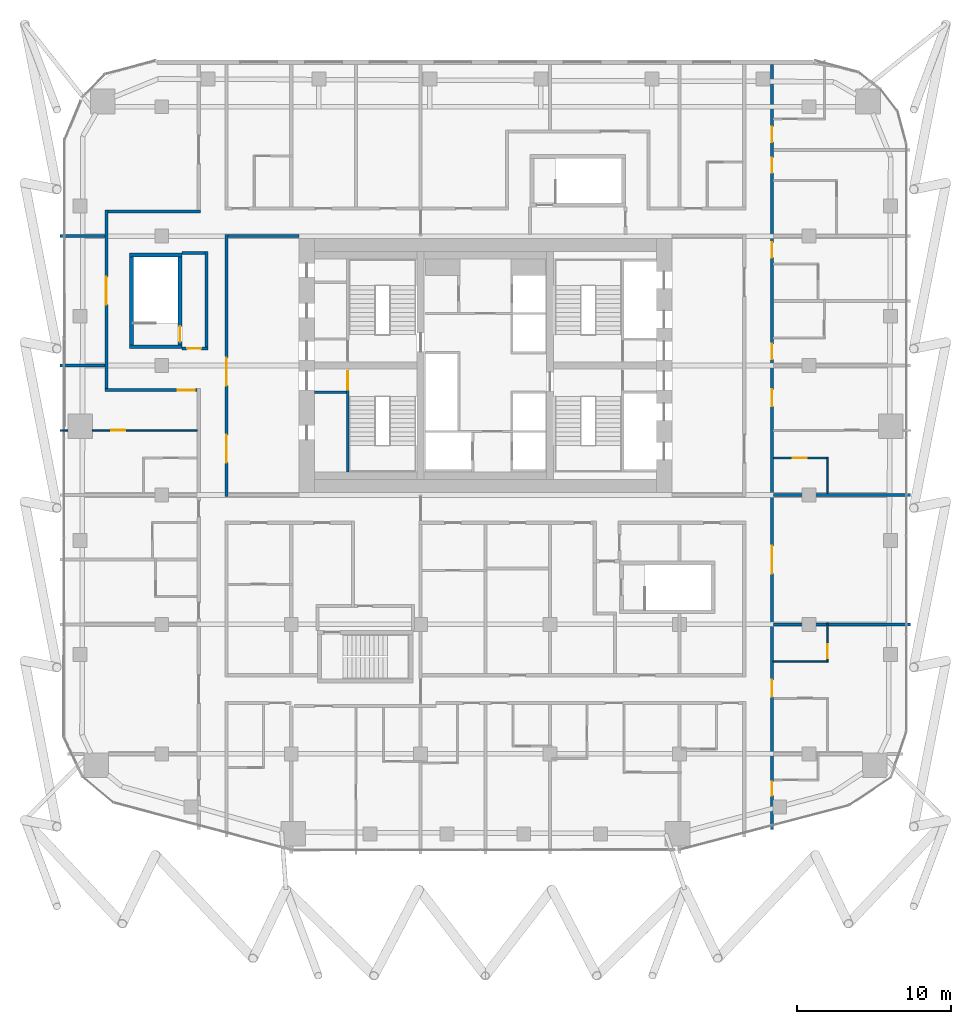
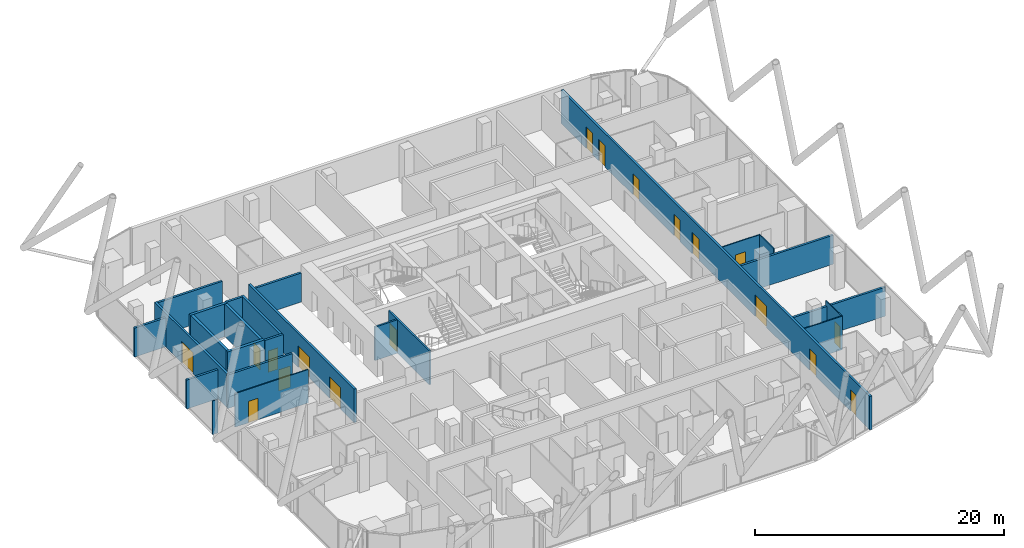
# One storey, part 29 of 34: 25 walls, 18 doors, 18 openings.
"""IFC4 building model written with IfcOpenShell, lengths in metres."""

from ifc_helpers import new_model, si_unit, direction, frame, frame_2d, origin, place, context, subcontext, project, spatial, rectangle, extrude, material, layer, layer_set, type_object, element, fill, save


model = new_model("IFC4")

# Units and contexts
model_context = context("Model", 3, precision=1e-05, world=origin(), true_north=direction((0.0, 1.0)))
body_context = subcontext(model_context, "Body", "Model", "MODEL_VIEW")
ifc_project = project(units=[si_unit("LENGTHUNIT", "METRE"), si_unit("AREAUNIT", "SQUARE_METRE"), si_unit("VOLUMEUNIT", "CUBIC_METRE"), si_unit("PLANEANGLEUNIT", "RADIAN"), si_unit("MASSUNIT", "GRAM", prefix="KILO")], contexts=[model_context])

# Site, building, storey
site_placement = place(None, origin())
site = spatial("IfcSite", under=ifc_project, at=site_placement, CompositionType="ELEMENT")
building_placement = place(site_placement, origin())
building = spatial("IfcBuilding", under=site, at=building_placement, Name="Marenta Gate Hotel Tower", CompositionType="ELEMENT")
storey_placement = place(building_placement, frame((0.0, 0.0, 166.10009765625)))
storey = spatial("IfcBuildingStorey", under=building, at=storey_placement, Name="L39", CompositionType="ELEMENT", Elevation=166.10009765625)

# Wall, openings, doors
ifc_material_1 = material(Name="Concrete blockwork", Category="masonry")
ifc_layer_1 = layer(ifc_material_1, 0.199951171875)
ifc_layer_set_1 = layer_set([ifc_layer_1], Name="Concrete blockwork")
wall_type_1 = type_object("IfcWallType", Name="Core boundary wall 200 REI 180", PredefinedType="PARTITIONING", material=ifc_layer_set_1)
wall_1_placement = place(storey_placement, frame((-16.800048828125, -0.10009765625, 0.0), z_axis=(0.0, 0.0, 1.0), x_axis=(0.0, 1.0, 0.0)))
wall_1 = element("IfcWall", 1, at=wall_1_placement, inside=storey, type_object=wall_type_1, Name="L39-CP-BW-W", PredefinedType="PARTITIONING", context=body_context, shape_type="SweptSolid", body=[
    extrude(rectangle(XDim=17.0, YDim=0.199951171875, at=frame_2d((8.5, 0.0))), origin(), (0.0, 0.0, 1.0), 3.2998046875),
])
opening_1_placement = place(wall_1_placement, frame((2.199951171875, 0.0, 0.0)))
opening_1 = element("IfcOpeningElement", 2, at=opening_1_placement, cuts=wall_1, Name="Opening ED-Wa-B", PredefinedType="OPENING", context=body_context, shape_type="SweptSolid", body=[
    extrude(rectangle(XDim=1.800048828125, YDim=2.10009765625, at=frame_2d((0.89990234375, 1.050048828125))), frame((0.0, 0.10009765625, 0.0), z_axis=(0.0, -1.0, 0.0), x_axis=(1.0, 0.0, 0.0)), (0.0, 0.0, 1.0), 0.199951171875),
])
opening_2_placement = place(wall_1_placement, frame((7.199951171875, 0.0, 0.0)))
opening_2 = element("IfcOpeningElement", 3, at=opening_2_placement, cuts=wall_1, Name="Opening ED-Wb-B", PredefinedType="OPENING", context=body_context, shape_type="SweptSolid", body=[
    extrude(rectangle(XDim=1.800048828125, YDim=2.10009765625, at=frame_2d((0.89990234375, 1.050048828125))), frame((0.0, 0.10009765625, 0.0), z_axis=(0.0, -1.0, 0.0), x_axis=(1.0, 0.0, 0.0)), (0.0, 0.0, 1.0), 0.199951171875),
])
ifc_material_2 = material(Name="Steel", Category="steel")
door_type_1 = type_object("IfcDoorType", Name="Core lobby entrance door 1800x2100 EI 60", OperationType="DOUBLE_DOOR_SINGLE_SWING", PredefinedType="DOOR", material=ifc_material_2)
door_1_placement = place(opening_1_placement, origin())
door_1 = element("IfcDoor", 4, at=door_1_placement, inside=storey, type_object=door_type_1, Name="ED-Wa-B", OperationType="DOUBLE_DOOR_SINGLE_SWING", OverallHeight=2.10009765625, OverallWidth=1.800048828125, PredefinedType="DOOR", context=body_context, shape_type="SweptSolid", body=[
    extrude(rectangle(XDim=1.800048828125, YDim=2.10009765625, at=frame_2d((0.89990234375, 1.050048828125))), frame((0.0, 0.02490234375, 0.0), z_axis=(0.0, -1.0, 0.0), x_axis=(1.0, 0.0, 0.0)), (0.0, 0.0, 1.0), 0.050048828125),
])
fill(opening_1, door_1)
door_2_placement = place(opening_2_placement, origin())
door_2 = element("IfcDoor", 5, at=door_2_placement, inside=storey, type_object=door_type_1, Name="ED-Wb-B", OperationType="DOUBLE_DOOR_SINGLE_SWING", OverallHeight=2.10009765625, OverallWidth=1.800048828125, PredefinedType="DOOR", context=body_context, shape_type="SweptSolid", body=[
    extrude(rectangle(XDim=1.800048828125, YDim=2.10009765625, at=frame_2d((0.89990234375, 1.050048828125))), frame((0.0, 0.02490234375, 0.0), z_axis=(0.0, -1.0, 0.0), x_axis=(1.0, 0.0, 0.0)), (0.0, 0.0, 1.0), 0.050048828125),
])
fill(opening_2, door_2)

# Walls
wall_2_placement = place(storey_placement, frame((-16.699951171875, 16.800048828125, 0.0), z_axis=(0.0, 0.0, 1.0), x_axis=(1.0, 0.0, 0.0)))
element("IfcWall", 6, at=wall_2_placement, inside=storey, type_object=wall_type_1, Name="L39-CP-EW-WN", PredefinedType="PARTITIONING", context=body_context, shape_type="SweptSolid", body=[
    extrude(rectangle(XDim=4.599853515625, YDim=0.199951171875, at=frame_2d((2.2998046875, 0.0))), origin(), (0.0, 0.0, 1.0), 2.849853515625),
])
ifc_material_3 = material(Name="Concrete blockwork", Category="masonry")
ifc_layer_2 = layer(ifc_material_3, 0.14990234375)
ifc_layer_set_2 = layer_set([ifc_layer_2], Name="Concrete blockwork")
wall_type_2 = type_object("IfcWallType", Name="Core room partition 150 REI 180", PredefinedType="PARTITIONING", material=ifc_layer_set_2)
wall_3_placement = place(storey_placement, frame((-11.10009765625, 6.675048828125, 0.0), z_axis=(0.0, 0.0, 1.0), x_axis=(1.0, 0.0, 0.0)))
element("IfcWall", 7, at=wall_3_placement, inside=storey, type_object=wall_type_2, Name="L39-CP-SW-WS-2", PredefinedType="PARTITIONING", context=body_context, shape_type="SweptSolid", body=[
    extrude(rectangle(XDim=2.10009765625, YDim=0.14990234375, at=frame_2d((1.050048828125, 0.0))), origin(), (0.0, 0.0, 1.0), 3.2998046875),
])

# Wall, opening, door
ifc_material_4 = material(Name="Concrete C40", Category="concrete")
ifc_layer_3 = layer(ifc_material_4, 0.14990234375)
ifc_layer_set_3 = layer_set([ifc_layer_3], Name="Concrete C40")
wall_type_3 = type_object("IfcWallType", Name="Core stair enclosure wall 150 REI 180", PredefinedType="SHEAR", material=ifc_layer_set_3)
wall_4_placement = place(storey_placement, frame((-8.925048828125, 1.5, 0.0), z_axis=(0.0, 0.0, 1.0), x_axis=(0.0, 1.0, 0.0)))
wall_4 = element("IfcWall", 8, at=wall_4_placement, inside=storey, type_object=wall_type_3, Name="L39-SHF-SW-WS-3", PredefinedType="SHEAR", context=body_context, shape_type="SweptSolid", body=[
    extrude(rectangle(XDim=6.60009765625, YDim=0.14990234375, at=frame_2d((3.300048828125, 0.0))), origin(), (0.0, 0.0, 1.0), 3.2998046875),
])
opening_3_placement = place(wall_4_placement, frame((5.324951171875, 0.0, 0.0)))
opening_3 = element("IfcOpeningElement", 9, at=opening_3_placement, cuts=wall_4, Name="Opening SD-WS", PredefinedType="OPENING", context=body_context, shape_type="SweptSolid", body=[
    extrude(rectangle(XDim=1.199951171875, YDim=2.10009765625, at=frame_2d((0.60009765625, 1.050048828125))), frame((0.0, 0.074951171875, 0.0), z_axis=(0.0, -1.0, 0.0), x_axis=(1.0, 0.0, 0.0)), (0.0, 0.0, 1.0), 0.14990234375),
])
ifc_material_5 = material(Name="Steel", Category="steel")
door_type_2 = type_object("IfcDoorType", Name="Core stair door 1200x2100 FD60", OperationType="SINGLE_SWING_LEFT", PredefinedType="DOOR", material=ifc_material_5)
door_3_placement = place(opening_3_placement, origin())
door_3 = element("IfcDoor", 10, at=door_3_placement, inside=storey, type_object=door_type_2, Name="SD-WS", OperationType="SINGLE_SWING_LEFT", OverallHeight=2.10009765625, OverallWidth=1.199951171875, PredefinedType="DOOR", context=body_context, shape_type="SweptSolid", body=[
    extrude(rectangle(XDim=1.199951171875, YDim=2.10009765625, at=frame_2d((0.60009765625, 1.050048828125))), frame((0.0, 0.02490234375, 0.0), z_axis=(0.0, -1.0, 0.0), x_axis=(1.0, 0.0, 0.0)), (0.0, 0.0, 1.0), 0.050048828125),
])
fill(opening_3, door_3)

# Walls
ifc_material_6 = material(Name="Concrete C40", Category="concrete")
ifc_layer_4 = layer(ifc_material_6, 0.25)
ifc_layer_set_4 = layer_set([ifc_layer_4], Name="Concrete C40")
wall_type_4 = type_object("IfcWallType", Name="Remote stair enclosure wall 250 REI 180", PredefinedType="SHEAR", material=ifc_layer_set_4)
for number, where, z_axis, x_axis, name in (
    (11, (-23.10009765625, 9.625, 0.099853515625), (0.0, 0.0, 1.0), (1.0, 0.0, 0.0), "L39-RS-Z1-3-W1"),
    (12, (-23.10009765625, 15.574951171875, 0.099853515625), (0.0, 0.0, 1.0), (1.0, 0.0, 0.0), "L39-RS-Z1-3-W2"),
):
    element("IfcWall", number, at=place(storey_placement, frame(where, z_axis=z_axis, x_axis=x_axis)), inside=storey, type_object=wall_type_4, Name=name, PredefinedType="SHEAR", context=body_context, shape_type="SweptSolid", body=[
        extrude(rectangle(XDim=3.400146484375, YDim=0.25, at=frame_2d((1.7001953125, 0.0))), origin(), (0.0, 0.0, 1.0), 3.199951171875),
    ])
wall_5_placement = place(storey_placement, frame((-22.97509765625, 9.75, 0.099853515625), z_axis=(0.0, 0.0, 1.0), x_axis=(0.0, 1.0, 0.0)))
element("IfcWall", 13, at=wall_5_placement, inside=storey, type_object=wall_type_4, Name="L39-RS-Z1-3-W3", PredefinedType="SHEAR", context=body_context, shape_type="SweptSolid", body=[
    extrude(rectangle(XDim=5.699951171875, YDim=0.25, at=frame_2d((2.85009765625, 0.0))), origin(), (0.0, 0.0, 1.0), 3.199951171875),
])

# Wall, opening, door
wall_6_placement = place(storey_placement, frame((-19.824951171875, 9.75, 0.099853515625), z_axis=(0.0, 0.0, 1.0), x_axis=(0.0, 1.0, 0.0)))
wall_6 = element("IfcWall", 14, at=wall_6_placement, inside=storey, type_object=wall_type_4, Name="L39-RS-Z1-3-W4", PredefinedType="SHEAR", context=body_context, shape_type="SweptSolid", body=[
    extrude(rectangle(XDim=5.699951171875, YDim=0.25, at=frame_2d((2.85009765625, 0.0))), origin(), (0.0, 0.0, 1.0), 3.199951171875),
])
opening_4_placement = place(wall_6_placement, frame((0.199951171875, 0.0, 0.0)))
opening_4 = element("IfcOpeningElement", 15, at=opening_4_placement, cuts=wall_6, Name="Opening VD", PredefinedType="OPENING", context=body_context, shape_type="SweptSolid", body=[
    extrude(rectangle(XDim=1.0, YDim=2.10009765625, at=frame_2d((0.5, 1.050048828125))), frame((0.0, 0.125, 0.0), z_axis=(0.0, -1.0, 0.0), x_axis=(1.0, 0.0, 0.0)), (0.0, 0.0, 1.0), 0.25),
])
ifc_material_7 = material(Name="Steel", Category="steel")
door_type_3 = type_object("IfcDoorType", Name="Stair vestibule door 1000x2100 FD60", OperationType="SINGLE_SWING_LEFT", PredefinedType="DOOR", material=ifc_material_7)
door_4_placement = place(opening_4_placement, origin())
door_4 = element("IfcDoor", 16, at=door_4_placement, inside=storey, type_object=door_type_3, Name="VD", OperationType="SINGLE_SWING_LEFT", OverallHeight=2.10009765625, OverallWidth=1.0, PredefinedType="DOOR", context=body_context, shape_type="SweptSolid", body=[
    extrude(rectangle(XDim=1.0, YDim=2.10009765625, at=frame_2d((0.5, 1.050048828125))), frame((0.0, 0.02490234375, 0.0), z_axis=(0.0, -1.0, 0.0), x_axis=(1.0, 0.0, 0.0)), (0.0, 0.0, 1.0), 0.050048828125),
])
fill(opening_4, door_4)

# Wall, openings, doors
ifc_material_8 = material(Name="Gypsum board on steel stud", Category="steel")
ifc_layer_5 = layer(ifc_material_8, 0.199951171875)
ifc_layer_set_5 = layer_set([ifc_layer_5], Name="Gypsum board on steel stud")
wall_type_5 = type_object("IfcWallType", Name="Room corridor wall 200 EI 60", PredefinedType="PARTITIONING", material=ifc_layer_set_5)
wall_7_placement = place(storey_placement, frame((18.60009765625, -21.7080078125, 0.0), z_axis=(0.0, 0.0, 1.0), x_axis=(0.0, 1.0, 0.0)))
wall_7 = element("IfcWall", 17, at=wall_7_placement, inside=storey, type_object=wall_type_5, Name="L39-PTN-W009", PredefinedType="PARTITIONING", context=body_context, shape_type="SweptSolid", body=[
    extrude(rectangle(XDim=49.64794921875, YDim=0.199951171875, at=frame_2d((24.823974609375, 0.0))), origin(), (0.0, 0.0, 1.0), 3.2998046875),
])
opening_5_placement = place(wall_7_placement, frame((2.2041015625, 0.0, 0.0)))
opening_5 = element("IfcOpeningElement", 18, at=opening_5_placement, cuts=wall_7, Name="Opening G14-08", PredefinedType="OPENING", context=body_context, shape_type="SweptSolid", body=[
    extrude(rectangle(XDim=0.89990234375, YDim=2.10009765625, at=frame_2d((0.449951171875, 1.050048828125))), frame((0.0, 0.10009765625, 0.0), z_axis=(0.0, -1.0, 0.0), x_axis=(1.0, 0.0, 0.0)), (0.0, 0.0, 1.0), 0.199951171875),
])
opening_6_placement = place(wall_7_placement, frame((8.60791015625, 0.0, 0.0)))
opening_6 = element("IfcOpeningElement", 19, at=opening_6_placement, cuts=wall_7, Name="Opening G14-10", PredefinedType="OPENING", context=body_context, shape_type="SweptSolid", body=[
    extrude(rectangle(XDim=1.10009765625, YDim=2.10009765625, at=frame_2d((0.550048828125, 1.050048828125))), frame((0.0, 0.10009765625, 0.0), z_axis=(0.0, -1.0, 0.0), x_axis=(1.0, 0.0, 0.0)), (0.0, 0.0, 1.0), 0.199951171875),
])
opening_7_placement = place(wall_7_placement, frame((16.60791015625, 0.0, 0.0)))
opening_7 = element("IfcOpeningElement", 20, at=opening_7_placement, cuts=wall_7, Name="Opening G14-13", PredefinedType="OPENING", context=body_context, shape_type="SweptSolid", body=[
    extrude(rectangle(XDim=1.800048828125, YDim=2.10009765625, at=frame_2d((0.89990234375, 1.050048828125))), frame((0.0, 0.10009765625, 0.0), z_axis=(0.0, -1.0, 0.0), x_axis=(1.0, 0.0, 0.0)), (0.0, 0.0, 1.0), 0.199951171875),
])
opening_8_placement = place(wall_7_placement, frame((27.4580078125, 0.0, 0.0)))
opening_8 = element("IfcOpeningElement", 21, at=opening_8_placement, cuts=wall_7, Name="Opening G14-14", PredefinedType="OPENING", context=body_context, shape_type="SweptSolid", body=[
    extrude(rectangle(XDim=1.10009765625, YDim=2.10009765625, at=frame_2d((0.550048828125, 1.050048828125))), frame((0.0, 0.10009765625, 0.0), z_axis=(0.0, -1.0, 0.0), x_axis=(1.0, 0.0, 0.0)), (0.0, 0.0, 1.0), 0.199951171875),
])
opening_9_placement = place(wall_7_placement, frame((30.508056640625, 0.0, 0.0)))
opening_9 = element("IfcOpeningElement", 22, at=opening_9_placement, cuts=wall_7, Name="Opening G14-17", PredefinedType="OPENING", context=body_context, shape_type="SweptSolid", body=[
    extrude(rectangle(XDim=1.0, YDim=2.10009765625, at=frame_2d((0.5, 1.050048828125))), frame((0.0, 0.10009765625, 0.0), z_axis=(0.0, -1.0, 0.0), x_axis=(1.0, 0.0, 0.0)), (0.0, 0.0, 1.0), 0.199951171875),
])
opening_10_placement = place(wall_7_placement, frame((37.10791015625, 0.0, 0.0)))
opening_10 = element("IfcOpeningElement", 23, at=opening_10_placement, cuts=wall_7, Name="Opening G14-19", PredefinedType="OPENING", context=body_context, shape_type="SweptSolid", body=[
    extrude(rectangle(XDim=1.0, YDim=2.10009765625, at=frame_2d((0.5, 1.050048828125))), frame((0.0, 0.10009765625, 0.0), z_axis=(0.0, -1.0, 0.0), x_axis=(1.0, 0.0, 0.0)), (0.0, 0.0, 1.0), 0.199951171875),
])
opening_11_placement = place(wall_7_placement, frame((42.60791015625, 0.0, 0.0)))
opening_11 = element("IfcOpeningElement", 24, at=opening_11_placement, cuts=wall_7, Name="Opening G14-21", PredefinedType="OPENING", context=body_context, shape_type="SweptSolid", body=[
    extrude(rectangle(XDim=1.0, YDim=2.10009765625, at=frame_2d((0.5, 1.050048828125))), frame((0.0, 0.10009765625, 0.0), z_axis=(0.0, -1.0, 0.0), x_axis=(1.0, 0.0, 0.0)), (0.0, 0.0, 1.0), 0.199951171875),
])
opening_12_placement = place(wall_7_placement, frame((44.60791015625, 0.0, 0.0)))
opening_12 = element("IfcOpeningElement", 25, at=opening_12_placement, cuts=wall_7, Name="Opening G14-23", PredefinedType="OPENING", context=body_context, shape_type="SweptSolid", body=[
    extrude(rectangle(XDim=1.0, YDim=2.10009765625, at=frame_2d((0.5, 1.050048828125))), frame((0.0, 0.10009765625, 0.0), z_axis=(0.0, -1.0, 0.0), x_axis=(1.0, 0.0, 0.0)), (0.0, 0.0, 1.0), 0.199951171875),
])
ifc_material_9 = material(Name="Timber door leaf", Category="wood")
door_type_4 = type_object("IfcDoorType", Name="Guest room door 1000x2100 EI 30", OperationType="NOTDEFINED", PredefinedType="DOOR", material=ifc_material_9)
door_5_placement = place(opening_9_placement, origin())
door_5 = element("IfcDoor", 26, at=door_5_placement, inside=storey, type_object=door_type_4, Name="L39-PD-D017", OperationType="SINGLE_SWING_LEFT", OverallHeight=2.10009765625, OverallWidth=1.0, PredefinedType="DOOR", context=body_context, shape_type="SweptSolid", body=[
    extrude(rectangle(XDim=1.0, YDim=2.10009765625, at=frame_2d((0.5, 1.050048828125))), frame((0.0, 0.02490234375, 0.0), z_axis=(0.0, -1.0, 0.0), x_axis=(1.0, 0.0, 0.0)), (0.0, 0.0, 1.0), 0.050048828125),
])
fill(opening_9, door_5)
door_6_placement = place(opening_10_placement, origin())
door_6 = element("IfcDoor", 27, at=door_6_placement, inside=storey, type_object=door_type_4, Name="L39-PD-D019", OperationType="SINGLE_SWING_LEFT", OverallHeight=2.10009765625, OverallWidth=1.0, PredefinedType="DOOR", context=body_context, shape_type="SweptSolid", body=[
    extrude(rectangle(XDim=1.0, YDim=2.10009765625, at=frame_2d((0.5, 1.050048828125))), frame((0.0, 0.02490234375, 0.0), z_axis=(0.0, -1.0, 0.0), x_axis=(1.0, 0.0, 0.0)), (0.0, 0.0, 1.0), 0.050048828125),
])
fill(opening_10, door_6)
door_7_placement = place(opening_11_placement, origin())
door_7 = element("IfcDoor", 28, at=door_7_placement, inside=storey, type_object=door_type_4, Name="L39-PD-D021", OperationType="SINGLE_SWING_LEFT", OverallHeight=2.10009765625, OverallWidth=1.0, PredefinedType="DOOR", context=body_context, shape_type="SweptSolid", body=[
    extrude(rectangle(XDim=1.0, YDim=2.10009765625, at=frame_2d((0.5, 1.050048828125))), frame((0.0, 0.02490234375, 0.0), z_axis=(0.0, -1.0, 0.0), x_axis=(1.0, 0.0, 0.0)), (0.0, 0.0, 1.0), 0.050048828125),
])
fill(opening_11, door_7)
door_8_placement = place(opening_12_placement, origin())
door_8 = element("IfcDoor", 29, at=door_8_placement, inside=storey, type_object=door_type_4, Name="L39-PD-D023", OperationType="SINGLE_SWING_LEFT", OverallHeight=2.10009765625, OverallWidth=1.0, PredefinedType="DOOR", context=body_context, shape_type="SweptSolid", body=[
    extrude(rectangle(XDim=1.0, YDim=2.10009765625, at=frame_2d((0.5, 1.050048828125))), frame((0.0, 0.02490234375, 0.0), z_axis=(0.0, -1.0, 0.0), x_axis=(1.0, 0.0, 0.0)), (0.0, 0.0, 1.0), 0.050048828125),
])
fill(opening_12, door_8)
ifc_material_10 = material(Name="Timber door leaf", Category="wood")
door_type_5 = type_object("IfcDoorType", Name="Guest room door 1100x2100 EI 30", OperationType="NOTDEFINED", PredefinedType="DOOR", material=ifc_material_10)
door_9_placement = place(opening_6_placement, origin())
door_9 = element("IfcDoor", 30, at=door_9_placement, inside=storey, type_object=door_type_5, Name="L39-PD-D010", OperationType="SINGLE_SWING_RIGHT", OverallHeight=2.10009765625, OverallWidth=1.10009765625, PredefinedType="DOOR", context=body_context, shape_type="SweptSolid", body=[
    extrude(rectangle(XDim=1.10009765625, YDim=2.10009765625, at=frame_2d((0.550048828125, 1.050048828125))), frame((0.0, 0.02490234375, 0.0), z_axis=(0.0, -1.0, 0.0), x_axis=(1.0, 0.0, 0.0)), (0.0, 0.0, 1.0), 0.050048828125),
])
fill(opening_6, door_9)
door_10_placement = place(opening_8_placement, origin())
door_10 = element("IfcDoor", 31, at=door_10_placement, inside=storey, type_object=door_type_5, Name="L39-PD-D014", OperationType="SINGLE_SWING_RIGHT", OverallHeight=2.10009765625, OverallWidth=1.10009765625, PredefinedType="DOOR", context=body_context, shape_type="SweptSolid", body=[
    extrude(rectangle(XDim=1.10009765625, YDim=2.10009765625, at=frame_2d((0.550048828125, 1.050048828125))), frame((0.0, 0.02490234375, 0.0), z_axis=(0.0, -1.0, 0.0), x_axis=(1.0, 0.0, 0.0)), (0.0, 0.0, 1.0), 0.050048828125),
])
fill(opening_8, door_10)
ifc_material_11 = material(Name="Timber door leaf", Category="wood")
door_type_6 = type_object("IfcDoorType", Name="Guest room door 900x2100 EI 30", OperationType="NOTDEFINED", PredefinedType="DOOR", material=ifc_material_11)
door_11_placement = place(opening_5_placement, origin())
door_11 = element("IfcDoor", 32, at=door_11_placement, inside=storey, type_object=door_type_6, Name="L39-PD-D008", OperationType="SINGLE_SWING_LEFT", OverallHeight=2.10009765625, OverallWidth=0.89990234375, PredefinedType="DOOR", context=body_context, shape_type="SweptSolid", body=[
    extrude(rectangle(XDim=0.89990234375, YDim=2.10009765625, at=frame_2d((0.449951171875, 1.050048828125))), frame((0.0, 0.02490234375, 0.0), z_axis=(0.0, -1.0, 0.0), x_axis=(1.0, 0.0, 0.0)), (0.0, 0.0, 1.0), 0.050048828125),
])
fill(opening_5, door_11)
ifc_material_12 = material(Name="Timber door leaf", Category="wood")
door_type_7 = type_object("IfcDoorType", Name="Room amenity door 1800x2100 EI 30", OperationType="DOUBLE_DOOR_SINGLE_SWING", PredefinedType="DOOR", material=ifc_material_12)
door_12_placement = place(opening_7_placement, origin())
door_12 = element("IfcDoor", 33, at=door_12_placement, inside=storey, type_object=door_type_7, Name="L39-PD-D013", OperationType="DOUBLE_DOOR_SINGLE_SWING", OverallHeight=2.10009765625, OverallWidth=1.800048828125, PredefinedType="DOOR", context=body_context, shape_type="SweptSolid", body=[
    extrude(rectangle(XDim=1.800048828125, YDim=2.10009765625, at=frame_2d((0.89990234375, 1.050048828125))), frame((0.0, 0.02490234375, 0.0), z_axis=(0.0, -1.0, 0.0), x_axis=(1.0, 0.0, 0.0)), (0.0, 0.0, 1.0), 0.050048828125),
])
fill(opening_7, door_12)

# Wall, opening, door
wall_8_placement = place(storey_placement, frame((-24.699951171875, 6.800048828125, 0.0), z_axis=(0.0, 0.0, 1.0), x_axis=(1.0, 0.0, 0.0)))
wall_8 = element("IfcWall", 34, at=wall_8_placement, inside=storey, type_object=wall_type_5, Name="L39-PTN-W079", PredefinedType="PARTITIONING", context=body_context, shape_type="SweptSolid", body=[
    extrude(rectangle(XDim=6.0, YDim=0.199951171875, at=frame_2d((3.0, 0.0))), origin(), (0.0, 0.0, 1.0), 3.2998046875),
])
opening_13_placement = place(wall_8_placement, frame((4.75, 0.0, 0.0)))
opening_13 = element("IfcOpeningElement", 35, at=opening_13_placement, cuts=wall_8, Name="Opening G14-50", PredefinedType="OPENING", context=body_context, shape_type="SweptSolid", body=[
    extrude(rectangle(XDim=1.10009765625, YDim=2.10009765625, at=frame_2d((0.550048828125, 1.050048828125))), frame((0.0, 0.10009765625, 0.0), z_axis=(0.0, -1.0, 0.0), x_axis=(1.0, 0.0, 0.0)), (0.0, 0.0, 1.0), 0.199951171875),
])
door_13_placement = place(opening_13_placement, origin())
door_13 = element("IfcDoor", 36, at=door_13_placement, inside=storey, type_object=door_type_5, Name="L39-PD-D050", OperationType="SINGLE_SWING_LEFT", OverallHeight=2.10009765625, OverallWidth=1.10009765625, PredefinedType="DOOR", context=body_context, shape_type="SweptSolid", body=[
    extrude(rectangle(XDim=1.10009765625, YDim=2.10009765625, at=frame_2d((0.550048828125, 1.050048828125))), frame((0.0, 0.02490234375, 0.0), z_axis=(0.0, -1.0, 0.0), x_axis=(1.0, 0.0, 0.0)), (0.0, 0.0, 1.0), 0.050048828125),
])
fill(opening_13, door_13)

# Wall
wall_9_placement = place(storey_placement, frame((-24.5, 18.39990234375, 0.0), z_axis=(0.0, 0.0, 1.0), x_axis=(1.0, 0.0, 0.0)))
element("IfcWall", 37, at=wall_9_placement, inside=storey, type_object=wall_type_5, Name="L39-PTN-W102", PredefinedType="PARTITIONING", context=body_context, shape_type="SweptSolid", body=[
    extrude(rectangle(XDim=6.0, YDim=0.199951171875, at=frame_2d((3.0, 0.0))), origin(), (0.0, 0.0, 1.0), 3.2998046875),
])

# Wall, opening, door
wall_10_placement = place(storey_placement, frame((-24.60009765625, 6.89990234375, 0.0), z_axis=(0.0, 0.0, 1.0), x_axis=(0.0, 1.0, 0.0)))
wall_10 = element("IfcWall", 38, at=wall_10_placement, inside=storey, type_object=wall_type_5, Name="L39-PTN-W116", PredefinedType="PARTITIONING", context=body_context, shape_type="SweptSolid", body=[
    extrude(rectangle(XDim=11.60009765625, YDim=0.199951171875, at=frame_2d((5.800048828125, 0.0))), origin(), (0.0, 0.0, 1.0), 3.2998046875),
])
opening_14_placement = place(wall_10_placement, frame((5.449951171875, 0.0, 0.0)))
opening_14 = element("IfcOpeningElement", 39, at=opening_14_placement, cuts=wall_10, Name="Opening G14-53", PredefinedType="OPENING", context=body_context, shape_type="SweptSolid", body=[
    extrude(rectangle(XDim=1.800048828125, YDim=2.10009765625, at=frame_2d((0.89990234375, 1.050048828125))), frame((0.0, 0.10009765625, 0.0), z_axis=(0.0, -1.0, 0.0), x_axis=(1.0, 0.0, 0.0)), (0.0, 0.0, 1.0), 0.199951171875),
])
door_14_placement = place(opening_14_placement, origin())
door_14 = element("IfcDoor", 40, at=door_14_placement, inside=storey, type_object=door_type_7, Name="L39-PD-D053", OperationType="DOUBLE_DOOR_SINGLE_SWING", OverallHeight=2.10009765625, OverallWidth=1.800048828125, PredefinedType="DOOR", context=body_context, shape_type="SweptSolid", body=[
    extrude(rectangle(XDim=1.800048828125, YDim=2.10009765625, at=frame_2d((0.89990234375, 1.050048828125))), frame((0.0, 0.02490234375, 0.0), z_axis=(0.0, -1.0, 0.0), x_axis=(1.0, 0.0, 0.0)), (0.0, 0.0, 1.0), 0.050048828125),
])
fill(opening_14, door_14)

ifc_material_13 = material(Name="Concrete blockwork", Category="masonry")
ifc_layer_6 = layer(ifc_material_13, 0.199951171875)
ifc_layer_set_6 = layer_set([ifc_layer_6], Name="Concrete blockwork")
wall_type_6 = type_object("IfcWallType", Name="Room corridor wall 200 REI 180", PredefinedType="PARTITIONING", material=ifc_layer_set_6)
wall_11_placement = place(storey_placement, frame((-19.699951171875, 9.5, 0.0), z_axis=(0.0, 0.0, 1.0), x_axis=(1.0, 0.0, 0.0)))
wall_11 = element("IfcWall", 41, at=wall_11_placement, inside=storey, type_object=wall_type_6, Name="L39-PTN-W085", PredefinedType="PARTITIONING", context=body_context, shape_type="SweptSolid", body=[
    extrude(rectangle(XDim=1.699951171875, YDim=0.199951171875, at=frame_2d((0.85009765625, 0.0))), origin(), (0.0, 0.0, 1.0), 3.2998046875),
])
opening_15_placement = place(wall_11_placement, frame((0.35009765625, 0.0, 0.0)))
opening_15 = element("IfcOpeningElement", 42, at=opening_15_placement, cuts=wall_11, Name="Opening G14-55", PredefinedType="OPENING", context=body_context, shape_type="SweptSolid", body=[
    extrude(rectangle(XDim=0.89990234375, YDim=2.10009765625, at=frame_2d((0.449951171875, 1.050048828125))), frame((0.0, 0.10009765625, 0.0), z_axis=(0.0, -1.0, 0.0), x_axis=(1.0, 0.0, 0.0)), (0.0, 0.0, 1.0), 0.199951171875),
])
ifc_material_14 = material(Name="Hollow steel door set", Category="steel")
door_type_8 = type_object("IfcDoorType", Name="Stair vestibule door 900x2100 EI 60", OperationType="NOTDEFINED", PredefinedType="DOOR", material=ifc_material_14)
door_15_placement = place(opening_15_placement, origin())
door_15 = element("IfcDoor", 43, at=door_15_placement, inside=storey, type_object=door_type_8, Name="L39-PD-D055", OperationType="SINGLE_SWING_RIGHT", OverallHeight=2.10009765625, OverallWidth=0.89990234375, PredefinedType="DOOR", context=body_context, shape_type="SweptSolid", body=[
    extrude(rectangle(XDim=0.89990234375, YDim=2.10009765625, at=frame_2d((0.449951171875, 1.050048828125))), frame((0.0, 0.02490234375, 0.0), z_axis=(0.0, -1.0, 0.0), x_axis=(1.0, 0.0, 0.0)), (0.0, 0.0, 1.0), 0.050048828125),
])
fill(opening_15, door_15)

# Walls
wall_12_placement = place(storey_placement, frame((-19.699951171875, 15.699951171875, 0.0), z_axis=(0.0, 0.0, 1.0), x_axis=(1.0, 0.0, 0.0)))
element("IfcWall", 44, at=wall_12_placement, inside=storey, type_object=wall_type_6, Name="L39-PTN-W095", PredefinedType="PARTITIONING", context=body_context, shape_type="SweptSolid", body=[
    extrude(rectangle(XDim=1.5, YDim=0.199951171875, at=frame_2d((0.75, 0.0))), origin(), (0.0, 0.0, 1.0), 3.2998046875),
])
wall_13_placement = place(storey_placement, frame((-18.10009765625, 9.60009765625, 0.0), z_axis=(0.0, 0.0, 1.0), x_axis=(0.0, 1.0, 0.0)))
element("IfcWall", 45, at=wall_13_placement, inside=storey, type_object=wall_type_6, Name="L39-PTN-W101", PredefinedType="PARTITIONING", context=body_context, shape_type="SweptSolid", body=[
    extrude(rectangle(XDim=6.199951171875, YDim=0.199951171875, at=frame_2d((3.10009765625, 0.0))), origin(), (0.0, 0.0, 1.0), 3.2998046875),
])

# Wall, opening, door
ifc_material_15 = material(Name="Gypsum board on steel stud", Category="steel")
ifc_layer_7 = layer(ifc_material_15, 0.10009765625)
ifc_layer_set_7 = layer_set([ifc_layer_7], Name="Gypsum board on steel stud")
wall_type_7 = type_object("IfcWallType", Name="Room partition 100", PredefinedType="PARTITIONING", material=ifc_layer_set_7)
wall_14_placement = place(storey_placement, frame((22.199951171875, -10.75, 0.0), z_axis=(0.0, 0.0, 1.0), x_axis=(0.0, 1.0, 0.0)))
wall_14 = element("IfcWall", 46, at=wall_14_placement, inside=storey, type_object=wall_type_7, Name="L39-PTN-W003", PredefinedType="PARTITIONING", context=body_context, shape_type="SweptSolid", body=[
    extrude(rectangle(XDim=2.449951171875, YDim=0.10009765625, at=frame_2d((1.22509765625, 0.0))), origin(), (0.0, 0.0, 1.0), 3.2998046875),
])
opening_16_placement = place(wall_14_placement, frame((0.14990234375, 0.0, 0.0)))
opening_16 = element("IfcOpeningElement", 47, at=opening_16_placement, cuts=wall_14, Name="Opening G14-12", PredefinedType="OPENING", context=body_context, shape_type="SweptSolid", body=[
    extrude(rectangle(XDim=0.89990234375, YDim=2.10009765625, at=frame_2d((0.449951171875, 1.050048828125))), frame((0.0, 0.050048828125, 0.0), z_axis=(0.0, -1.0, 0.0), x_axis=(1.0, 0.0, 0.0)), (0.0, 0.0, 1.0), 0.10009765625),
])
ifc_material_16 = material(Name="Timber door leaf", Category="wood")
door_type_9 = type_object("IfcDoorType", Name="Room inner door 900x2100", OperationType="NOTDEFINED", PredefinedType="DOOR", material=ifc_material_16)
door_16_placement = place(opening_16_placement, origin())
door_16 = element("IfcDoor", 48, at=door_16_placement, inside=storey, type_object=door_type_9, Name="L39-PD-D012", OperationType="SINGLE_SWING_LEFT", OverallHeight=2.10009765625, OverallWidth=0.89990234375, PredefinedType="DOOR", context=body_context, shape_type="SweptSolid", body=[
    extrude(rectangle(XDim=0.89990234375, YDim=2.10009765625, at=frame_2d((0.449951171875, 1.050048828125))), frame((0.0, 0.02490234375, 0.0), z_axis=(0.0, -1.0, 0.0), x_axis=(1.0, 0.0, 0.0)), (0.0, 0.0, 1.0), 0.050048828125),
])
fill(opening_16, door_16)

# Walls
wall_15_placement = place(storey_placement, frame((22.199951171875, 0.10009765625, 0.0), z_axis=(0.0, 0.0, 1.0), x_axis=(0.0, 1.0, 0.0)))
element("IfcWall", 49, at=wall_15_placement, inside=storey, type_object=wall_type_7, Name="L39-PTN-W004", PredefinedType="PARTITIONING", context=body_context, shape_type="SweptSolid", body=[
    extrude(rectangle(XDim=2.349853515625, YDim=0.10009765625, at=frame_2d((1.1748046875, 0.0))), origin(), (0.0, 0.0, 1.0), 3.2998046875),
])
wall_16_placement = place(storey_placement, frame((18.699951171875, -10.800048828125, 0.0), z_axis=(0.0, 0.0, 1.0), x_axis=(1.0, 0.0, 0.0)))
element("IfcWall", 50, at=wall_16_placement, inside=storey, type_object=wall_type_7, Name="L39-PTN-W035", PredefinedType="PARTITIONING", context=body_context, shape_type="SweptSolid", body=[
    extrude(rectangle(XDim=3.550048828125, YDim=0.10009765625, at=frame_2d((1.77490234375, 0.0))), origin(), (0.0, 0.0, 1.0), 3.2998046875),
])

# Wall, opening, door
wall_17_placement = place(storey_placement, frame((18.699951171875, 2.39990234375, 0.0), z_axis=(0.0, 0.0, 1.0), x_axis=(1.0, 0.0, 0.0)))
wall_17 = element("IfcWall", 51, at=wall_17_placement, inside=storey, type_object=wall_type_7, Name="L39-PTN-W071", PredefinedType="PARTITIONING", context=body_context, shape_type="SweptSolid", body=[
    extrude(rectangle(XDim=3.449951171875, YDim=0.10009765625, at=frame_2d((1.72509765625, 0.0))), origin(), (0.0, 0.0, 1.0), 3.2998046875),
])
opening_17_placement = place(wall_17_placement, frame((1.25, 0.0, 0.0)))
opening_17 = element("IfcOpeningElement", 52, at=opening_17_placement, cuts=wall_17, Name="Opening G14-16", PredefinedType="OPENING", context=body_context, shape_type="SweptSolid", body=[
    extrude(rectangle(XDim=0.89990234375, YDim=2.10009765625, at=frame_2d((0.449951171875, 1.050048828125))), frame((0.0, 0.050048828125, 0.0), z_axis=(0.0, -1.0, 0.0), x_axis=(1.0, 0.0, 0.0)), (0.0, 0.0, 1.0), 0.10009765625),
])
ifc_material_17 = material(Name="Timber door leaf", Category="wood")
door_type_10 = type_object("IfcDoorType", Name="Guest bathroom door 900x2100", OperationType="NOTDEFINED", PredefinedType="DOOR", material=ifc_material_17)
door_17_placement = place(opening_17_placement, origin())
door_17 = element("IfcDoor", 53, at=door_17_placement, inside=storey, type_object=door_type_10, Name="L39-PD-D016", OperationType="SINGLE_SWING_RIGHT", OverallHeight=2.10009765625, OverallWidth=0.89990234375, PredefinedType="DOOR", context=body_context, shape_type="SweptSolid", body=[
    extrude(rectangle(XDim=0.89990234375, YDim=2.10009765625, at=frame_2d((0.449951171875, 1.050048828125))), frame((0.0, 0.02490234375, 0.0), z_axis=(0.0, -1.0, 0.0), x_axis=(1.0, 0.0, 0.0)), (0.0, 0.0, 1.0), 0.050048828125),
])
fill(opening_17, door_17)

# Wall
wall_18_placement = place(storey_placement, frame((-27.60009765625, 4.199951171875, 0.0), z_axis=(0.0, 0.0, 1.0), x_axis=(1.0, 0.0, 0.0)))
element("IfcWall", 54, at=wall_18_placement, inside=storey, type_object=wall_type_7, Name="L39-PTN-W075", PredefinedType="PARTITIONING", context=body_context, shape_type="SweptSolid", body=[
    extrude(rectangle(XDim=0.5, YDim=0.10009765625, at=frame_2d((0.25, 0.0))), origin(), (0.0, 0.0, 1.0), 3.2998046875),
])

# Wall, opening, door
wall_19_placement = place(storey_placement, frame((-25.5, 4.199951171875, 0.0), z_axis=(0.0, 0.0, 1.0), x_axis=(1.0, 0.0, 0.0)))
wall_19 = element("IfcWall", 55, at=wall_19_placement, inside=storey, type_object=wall_type_7, Name="L39-PTN-W121", PredefinedType="PARTITIONING", context=body_context, shape_type="SweptSolid", body=[
    extrude(rectangle(XDim=6.800048828125, YDim=0.10009765625, at=frame_2d((3.39990234375, 0.0))), origin(), (0.0, 0.0, 1.0), 3.2998046875),
])
opening_18_placement = place(wall_19_placement, frame((1.22998046875, 0.0, 0.0)))
opening_18 = element("IfcOpeningElement", 56, at=opening_18_placement, cuts=wall_19, Name="Opening G14-51", PredefinedType="OPENING", context=body_context, shape_type="SweptSolid", body=[
    extrude(rectangle(XDim=0.89990234375, YDim=2.10009765625, at=frame_2d((0.449951171875, 1.050048828125))), frame((0.0, 0.050048828125, 0.0), z_axis=(0.0, -1.0, 0.0), x_axis=(1.0, 0.0, 0.0)), (0.0, 0.0, 1.0), 0.10009765625),
])
door_18_placement = place(opening_18_placement, origin())
door_18 = element("IfcDoor", 57, at=door_18_placement, inside=storey, type_object=door_type_9, Name="L39-PD-D051", OperationType="SINGLE_SWING_RIGHT", OverallHeight=2.10009765625, OverallWidth=0.89990234375, PredefinedType="DOOR", context=body_context, shape_type="SweptSolid", body=[
    extrude(rectangle(XDim=0.89990234375, YDim=2.10009765625, at=frame_2d((0.449951171875, 1.050048828125))), frame((0.0, 0.02490234375, 0.0), z_axis=(0.0, -1.0, 0.0), x_axis=(1.0, 0.0, 0.0)), (0.0, 0.0, 1.0), 0.050048828125),
])
fill(opening_18, door_18)

# Walls
ifc_material_18 = material(Name="Gypsum board on steel stud", Category="steel")
ifc_layer_8 = layer(ifc_material_18, 0.199951171875)
ifc_layer_set_8 = layer_set([ifc_layer_8], Name="Gypsum board on steel stud")
wall_type_8 = type_object("IfcWallType", Name="Room party wall 200 EI 60", PredefinedType="PARTITIONING", material=ifc_layer_set_8)
for number, where, z_axis, x_axis, name in (
    (58, (18.699951171875, -8.39990234375, 0.0), (0.0, 0.0, 1.0), (1.0, 0.0, 0.0), "L39-PTN-W042"),
    (59, (18.699951171875, 0.0, 0.0), (0.0, 0.0, 1.0), (1.0, 0.0, 0.0), "L39-PTN-W068"),
):
    element("IfcWall", number, at=place(storey_placement, frame(where, z_axis=z_axis, x_axis=x_axis)), inside=storey, type_object=wall_type_8, Name=name, PredefinedType="PARTITIONING", context=body_context, shape_type="SweptSolid", body=[
        extrude(rectangle(XDim=8.900146484375, YDim=0.199951171875, at=frame_2d((4.4501953125, 0.0))), origin(), (0.0, 0.0, 1.0), 2.849853515625),
    ])
for number, where, z_axis, x_axis, name in (
    (60, (-27.60009765625, 8.39990234375, 0.0), (0.0, 0.0, 1.0), (1.0, 0.0, 0.0), "L39-PTN-W082"),
    (61, (-27.60009765625, 16.800048828125, 0.0), (0.0, 0.0, 1.0), (1.0, 0.0, 0.0), "L39-PTN-W099"),
):
    element("IfcWall", number, at=place(storey_placement, frame(where, z_axis=z_axis, x_axis=x_axis)), inside=storey, type_object=wall_type_8, Name=name, PredefinedType="PARTITIONING", context=body_context, shape_type="SweptSolid", body=[
        extrude(rectangle(XDim=2.900146484375, YDim=0.199951171875, at=frame_2d((1.4501953125, 0.0))), origin(), (0.0, 0.0, 1.0), 2.849853515625),
    ])

save(model, "model.ifc")
